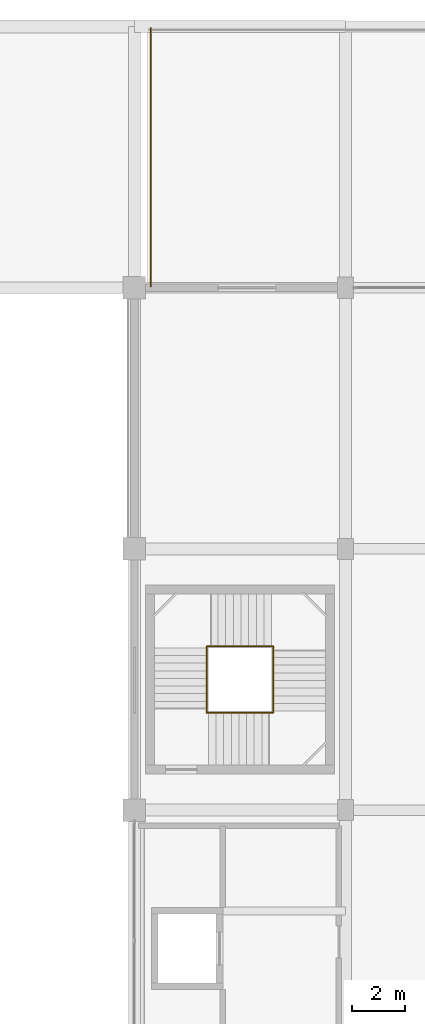
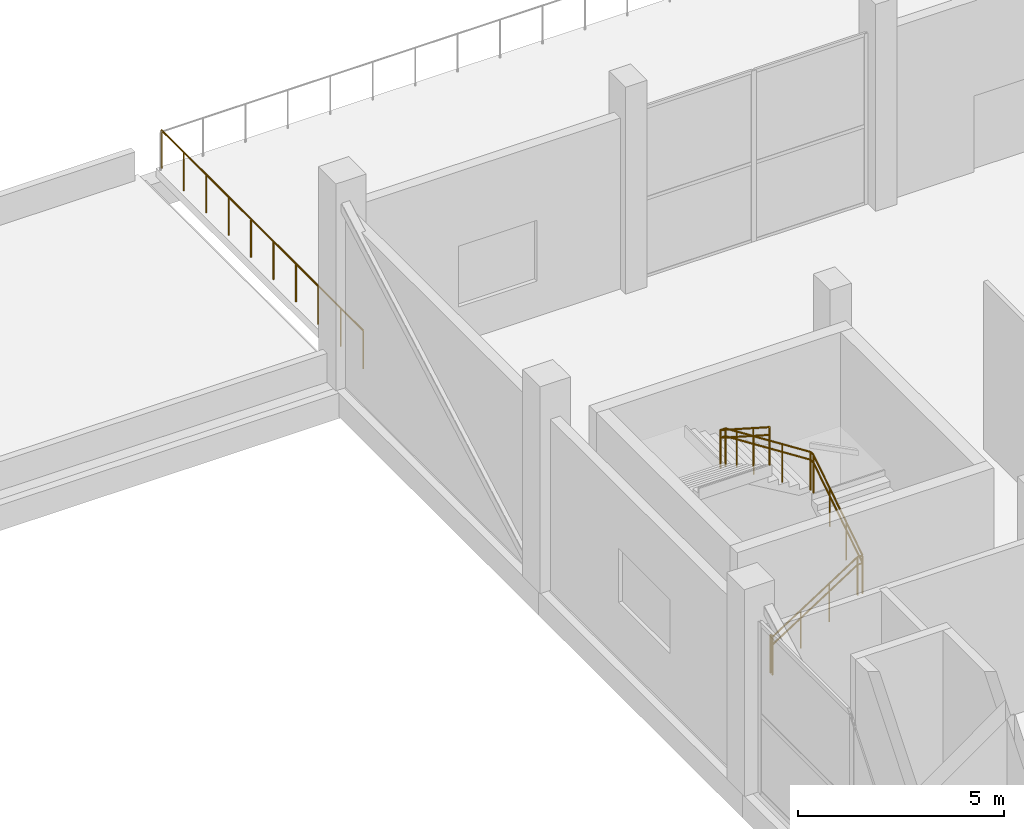
# One storey, part 57 of 58: 4 railings.
"""IFC4 building model written with IfcOpenShell, lengths in metres."""

from ifc_helpers import new_model, si_unit, direction, frame, origin, origin_2d, place, context, subcontext, project, spatial, circle, extrude, material, type_object, element, save


model = new_model("IFC4")

# Units and contexts
model_context = context("Model", 3, precision=1e-05, world=origin(), true_north=direction((0.0, 1.0)))
body_context = subcontext(model_context, "Body", "Model", "MODEL_VIEW")
ifc_project = project(units=[si_unit("LENGTHUNIT", "METRE"), si_unit("AREAUNIT", "SQUARE_METRE"), si_unit("VOLUMEUNIT", "CUBIC_METRE"), si_unit("PLANEANGLEUNIT", "RADIAN"), si_unit("MASSUNIT", "GRAM", prefix="KILO")], contexts=[model_context])

# Site, building, storey
site_placement = place(None, origin())
site = spatial("IfcSite", under=ifc_project, at=site_placement, CompositionType="ELEMENT")
building_placement = place(site_placement, origin())
building = spatial("IfcBuilding", under=site, at=building_placement, Name="Sillaruma Civic Art Gallery", CompositionType="ELEMENT")
storey_placement = place(building_placement, frame((0.0, 0.0, 22.43994140625)))
storey = spatial("IfcBuildingStorey", under=building, at=storey_placement, Name="L04", CompositionType="ELEMENT", Elevation=22.43994140625)

# Railings
ifc_material = material(Name="Stainless Steel AISI 316", Category="steel")
railing_type_1 = type_object("IfcRailingType", Name="RAL-BAL-1150", PredefinedType="BALUSTRADE", material=ifc_material)
railing_1_placement = place(storey_placement, frame((62.6201171875, 99.06005859375, 0.0)))
element("IfcRailing", 1, at=railing_1_placement, inside=storey, type_object=railing_type_1, Name="Sculpture Terrace Balustrade (SLB-L04-TER-N-1)", PredefinedType="BALUSTRADE", context=body_context, shape_type="SweptSolid", body=[
    extrude(circle(Radius=0.02392578125, at=origin_2d()), frame((0.0, 0.0, 1.1259765625), z_axis=(0.0, 1.0, 0.0), x_axis=(-1.0, 0.0, 0.0)), (0.0, 0.0, 1.0), 9.780029296875),
    extrude(circle(Radius=0.02099609375, at=origin_2d()), origin(), (0.0, 0.0, 1.0), 1.101806640625),
    extrude(circle(Radius=0.02099609375, at=origin_2d()), frame((0.0, 1.086669921875, 0.0)), (0.0, 0.0, 1.0), 1.101806640625),
    extrude(circle(Radius=0.02099609375, at=origin_2d()), frame((0.0, 2.17333984375, 0.0)), (0.0, 0.0, 1.0), 1.101806640625),
    extrude(circle(Radius=0.02099609375, at=origin_2d()), frame((0.0, 3.260009765625, 0.0)), (0.0, 0.0, 1.0), 1.101806640625),
    extrude(circle(Radius=0.02099609375, at=origin_2d()), frame((0.0, 4.3466796875, 0.0)), (0.0, 0.0, 1.0), 1.101806640625),
    extrude(circle(Radius=0.02099609375, at=origin_2d()), frame((0.0, 5.433349609375, 0.0)), (0.0, 0.0, 1.0), 1.101806640625),
    extrude(circle(Radius=0.02099609375, at=origin_2d()), frame((0.0, 6.52001953125, 0.0)), (0.0, 0.0, 1.0), 1.101806640625),
    extrude(circle(Radius=0.02099609375, at=origin_2d()), frame((0.0, 7.606689453125, 0.0)), (0.0, 0.0, 1.0), 1.101806640625),
    extrude(circle(Radius=0.02099609375, at=origin_2d()), frame((0.0, 8.693359375, 0.0)), (0.0, 0.0, 1.0), 1.101806640625),
    extrude(circle(Radius=0.02099609375, at=origin_2d()), frame((0.0, 9.780029296875, 0.0)), (0.0, 0.0, 1.0), 1.101806640625),
])
railing_2_placement = place(storey_placement, frame((64.739990234375, 82.889892578125, 0.0)))
element("IfcRailing", 2, at=railing_2_placement, inside=storey, type_object=railing_type_1, Name="Stair Floor Edge Guard (ST-02:L04)", PredefinedType="BALUSTRADE", context=body_context, shape_type="SweptSolid", body=[
    extrude(circle(Radius=0.02392578125, at=origin_2d()), frame((0.0, 0.0, 1.1259765625), z_axis=(0.0, 1.0, 0.0), x_axis=(-1.0, 0.0, 0.0)), (0.0, 0.0, 1.0), 0.10009765625),
    extrude(circle(Radius=0.02099609375, at=origin_2d()), origin(), (0.0, 0.0, 1.0), 1.101806640625),
    extrude(circle(Radius=0.02099609375, at=origin_2d()), frame((0.0, 0.10009765625, 0.0)), (0.0, 0.0, 1.0), 1.101806640625),
])
railing_3_placement = place(storey_placement, frame((64.739990234375, 82.889892578125, 0.0)))
element("IfcRailing", 3, at=railing_3_placement, inside=storey, type_object=railing_type_1, Name="Stair Well Balustrade (ST-02-L04)", PredefinedType="BALUSTRADE", context=body_context, shape_type="SweptSolid", body=[
    extrude(circle(Radius=0.02392578125, at=origin_2d()), frame((0.0, 0.0, 1.1259765625), z_axis=(0.84118688567, 0.0, 0.540744508411), x_axis=(0.0, 1.0, 0.0)), (0.0, 0.0, 1.0), 2.82958984375),
    extrude(circle(Radius=0.02392578125, at=origin_2d()), frame((2.380126953125, 0.0, 2.65576171875), z_axis=(1.0, 0.0, 0.0), x_axis=(0.0, 1.0, 0.0)), (0.0, 0.0, 1.0), 0.139892578125),
    extrude(circle(Radius=0.02392578125, at=origin_2d()), frame((2.52001953125, 0.0, 2.65576171875), z_axis=(0.0, 0.84118688567, 0.540744508411), x_axis=(-1.0, 0.0, 0.0)), (0.0, 0.0, 1.0), 2.82958984375),
    extrude(circle(Radius=0.02392578125, at=origin_2d()), frame((2.52001953125, 2.380126953125, 4.18603515625), z_axis=(0.0, 1.0, 0.0), x_axis=(-1.0, 0.0, 0.0)), (0.0, 0.0, 1.0), 0.139892578125),
    extrude(circle(Radius=0.02392578125, at=origin_2d()), frame((2.52001953125, 2.52001953125, 4.18603515625), z_axis=(-0.84118688567, 0.0, 0.540744508411), x_axis=(0.0, -1.0, 0.0)), (0.0, 0.0, 1.0), 2.82958984375),
    extrude(circle(Radius=0.02392578125, at=origin_2d()), frame((0.139892578125, 2.52001953125, 5.7158203125), z_axis=(-1.0, 0.0, 0.0), x_axis=(0.0, -1.0, 0.0)), (0.0, 0.0, 1.0), 0.139892578125),
    extrude(circle(Radius=0.02392578125, at=origin_2d()), frame((0.0, 2.52001953125, 5.7158203125), z_axis=(0.0, -0.841161652958, 0.540783758626), x_axis=(1.0, 0.0, 0.0)), (0.0, 0.0, 1.0), 2.829345703125),
    extrude(circle(Radius=0.02099609375, at=origin_2d()), origin(), (0.0, 0.0, 1.0), 1.101806640625),
    extrude(circle(Radius=0.02099609375, at=origin_2d()), frame((0.79345703125, 0.0, 0.510009765625)), (0.0, 0.0, 1.0), 1.101806640625),
    extrude(circle(Radius=0.02099609375, at=origin_2d()), frame((1.586669921875, 0.0, 1.02001953125)), (0.0, 0.0, 1.0), 1.101806640625),
    extrude(circle(Radius=0.02099609375, at=origin_2d()), frame((2.380126953125, 0.0, 1.530029296875)), (0.0, 0.0, 1.0), 1.101806640625),
    extrude(circle(Radius=0.02099609375, at=origin_2d()), frame((2.52001953125, 0.0, 1.530029296875)), (0.0, 0.0, 1.0), 1.101806640625),
    extrude(circle(Radius=0.02099609375, at=origin_2d()), frame((2.52001953125, 0.79345703125, 2.0400390625)), (0.0, 0.0, 1.0), 1.101806640625),
    extrude(circle(Radius=0.02099609375, at=origin_2d()), frame((2.52001953125, 1.586669921875, 2.550048828125)), (0.0, 0.0, 1.0), 1.101806640625),
    extrude(circle(Radius=0.02099609375, at=origin_2d()), frame((2.52001953125, 2.380126953125, 3.06005859375)), (0.0, 0.0, 1.0), 1.101806640625),
    extrude(circle(Radius=0.02099609375, at=origin_2d()), frame((2.52001953125, 2.52001953125, 3.06005859375)), (0.0, 0.0, 1.0), 1.101806640625),
    extrude(circle(Radius=0.02099609375, at=origin_2d()), frame((1.7265625, 2.52001953125, 3.570068359375)), (0.0, 0.0, 1.0), 1.101806640625),
    extrude(circle(Radius=0.02099609375, at=origin_2d()), frame((0.933349609375, 2.52001953125, 4.080078125)), (0.0, 0.0, 1.0), 1.101806640625),
    extrude(circle(Radius=0.02099609375, at=origin_2d()), frame((0.139892578125, 2.52001953125, 4.590087890625)), (0.0, 0.0, 1.0), 1.101806640625),
    extrude(circle(Radius=0.02099609375, at=origin_2d()), frame((0.0, 2.52001953125, 4.590087890625)), (0.0, 0.0, 1.0), 1.101806640625),
    extrude(circle(Radius=0.02099609375, at=origin_2d()), frame((0.0, 1.726806640625, 5.10009765625)), (0.0, 0.0, 1.0), 1.101806640625),
    extrude(circle(Radius=0.02099609375, at=origin_2d()), frame((0.0, 0.933349609375, 5.610107421875)), (0.0, 0.0, 1.0), 1.101806640625),
    extrude(circle(Radius=0.02099609375, at=origin_2d()), frame((0.0, 0.14013671875, 6.1201171875)), (0.0, 0.0, 1.0), 1.101806640625),
])
railing_type_2 = type_object("IfcRailingType", Name="RAL-HND-920", PredefinedType="HANDRAIL", material=ifc_material)
railing_4_placement = place(storey_placement, frame((64.739990234375, 82.889892578125, 0.0)))
element("IfcRailing", 4, at=railing_4_placement, inside=storey, type_object=railing_type_2, Name="Stair Continuous Handrail (ST-02-L04)", PredefinedType="HANDRAIL", context=body_context, shape_type="SweptSolid", body=[
    extrude(circle(Radius=0.02392578125, at=origin_2d()), frame((0.0, 0.0, 0.89599609375), z_axis=(0.84118688567, 0.0, 0.540744508411), x_axis=(0.0, 1.0, 0.0)), (0.0, 0.0, 1.0), 2.82958984375),
    extrude(circle(Radius=0.02392578125, at=origin_2d()), frame((2.380126953125, 0.0, 2.42578125), z_axis=(1.0, 0.0, 0.0), x_axis=(0.0, 1.0, 0.0)), (0.0, 0.0, 1.0), 0.139892578125),
    extrude(circle(Radius=0.02392578125, at=origin_2d()), frame((2.52001953125, 0.0, 2.42578125), z_axis=(0.0, 0.84118688567, 0.540744508411), x_axis=(-1.0, 0.0, 0.0)), (0.0, 0.0, 1.0), 2.82958984375),
    extrude(circle(Radius=0.02392578125, at=origin_2d()), frame((2.52001953125, 2.380126953125, 3.9560546875), z_axis=(0.0, 1.0, 0.0), x_axis=(-1.0, 0.0, 0.0)), (0.0, 0.0, 1.0), 0.139892578125),
    extrude(circle(Radius=0.02392578125, at=origin_2d()), frame((2.52001953125, 2.52001953125, 3.9560546875), z_axis=(-0.84118688567, 0.0, 0.540744508411), x_axis=(0.0, -1.0, 0.0)), (0.0, 0.0, 1.0), 2.82958984375),
    extrude(circle(Radius=0.02392578125, at=origin_2d()), frame((0.139892578125, 2.52001953125, 5.48583984375), z_axis=(-1.0, 0.0, 0.0), x_axis=(0.0, -1.0, 0.0)), (0.0, 0.0, 1.0), 0.139892578125),
    extrude(circle(Radius=0.02392578125, at=origin_2d()), frame((0.0, 2.52001953125, 5.48583984375), z_axis=(0.0, -0.841161652958, 0.540783758626), x_axis=(1.0, 0.0, 0.0)), (0.0, 0.0, 1.0), 2.829345703125),
    extrude(circle(Radius=0.02099609375, at=origin_2d()), origin(), (0.0, 0.0, 1.0), 0.871826171875),
    extrude(circle(Radius=0.02099609375, at=origin_2d()), frame((0.79345703125, 0.0, 0.510009765625)), (0.0, 0.0, 1.0), 0.871826171875),
    extrude(circle(Radius=0.02099609375, at=origin_2d()), frame((1.586669921875, 0.0, 1.02001953125)), (0.0, 0.0, 1.0), 0.871826171875),
    extrude(circle(Radius=0.02099609375, at=origin_2d()), frame((2.380126953125, 0.0, 1.530029296875)), (0.0, 0.0, 1.0), 0.871826171875),
    extrude(circle(Radius=0.02099609375, at=origin_2d()), frame((2.52001953125, 0.0, 1.530029296875)), (0.0, 0.0, 1.0), 0.871826171875),
    extrude(circle(Radius=0.02099609375, at=origin_2d()), frame((2.52001953125, 0.79345703125, 2.0400390625)), (0.0, 0.0, 1.0), 0.871826171875),
    extrude(circle(Radius=0.02099609375, at=origin_2d()), frame((2.52001953125, 1.586669921875, 2.550048828125)), (0.0, 0.0, 1.0), 0.871826171875),
    extrude(circle(Radius=0.02099609375, at=origin_2d()), frame((2.52001953125, 2.380126953125, 3.06005859375)), (0.0, 0.0, 1.0), 0.871826171875),
    extrude(circle(Radius=0.02099609375, at=origin_2d()), frame((2.52001953125, 2.52001953125, 3.06005859375)), (0.0, 0.0, 1.0), 0.871826171875),
    extrude(circle(Radius=0.02099609375, at=origin_2d()), frame((1.7265625, 2.52001953125, 3.570068359375)), (0.0, 0.0, 1.0), 0.871826171875),
    extrude(circle(Radius=0.02099609375, at=origin_2d()), frame((0.933349609375, 2.52001953125, 4.080078125)), (0.0, 0.0, 1.0), 0.871826171875),
    extrude(circle(Radius=0.02099609375, at=origin_2d()), frame((0.139892578125, 2.52001953125, 4.590087890625)), (0.0, 0.0, 1.0), 0.871826171875),
    extrude(circle(Radius=0.02099609375, at=origin_2d()), frame((0.0, 2.52001953125, 4.590087890625)), (0.0, 0.0, 1.0), 0.871826171875),
    extrude(circle(Radius=0.02099609375, at=origin_2d()), frame((0.0, 1.726806640625, 5.10009765625)), (0.0, 0.0, 1.0), 0.871826171875),
    extrude(circle(Radius=0.02099609375, at=origin_2d()), frame((0.0, 0.933349609375, 5.610107421875)), (0.0, 0.0, 1.0), 0.871826171875),
    extrude(circle(Radius=0.02099609375, at=origin_2d()), frame((0.0, 0.14013671875, 6.1201171875)), (0.0, 0.0, 1.0), 0.871826171875),
])

save(model, "model.ifc")
